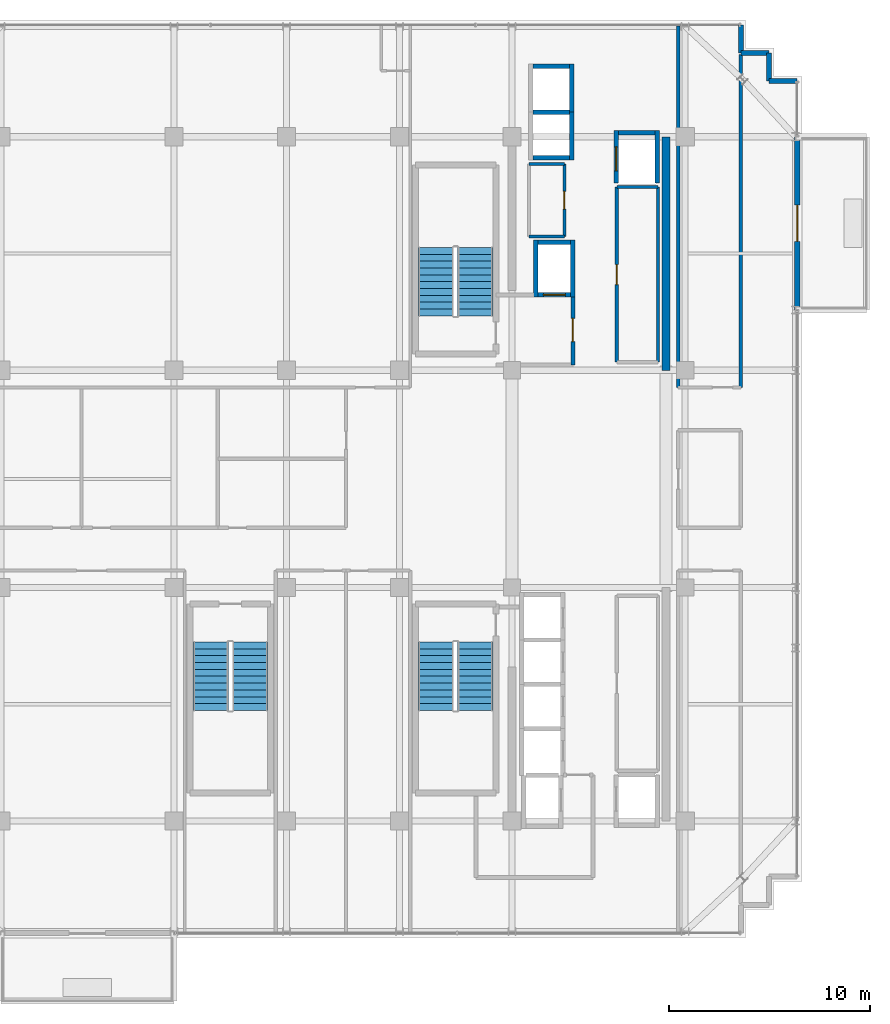
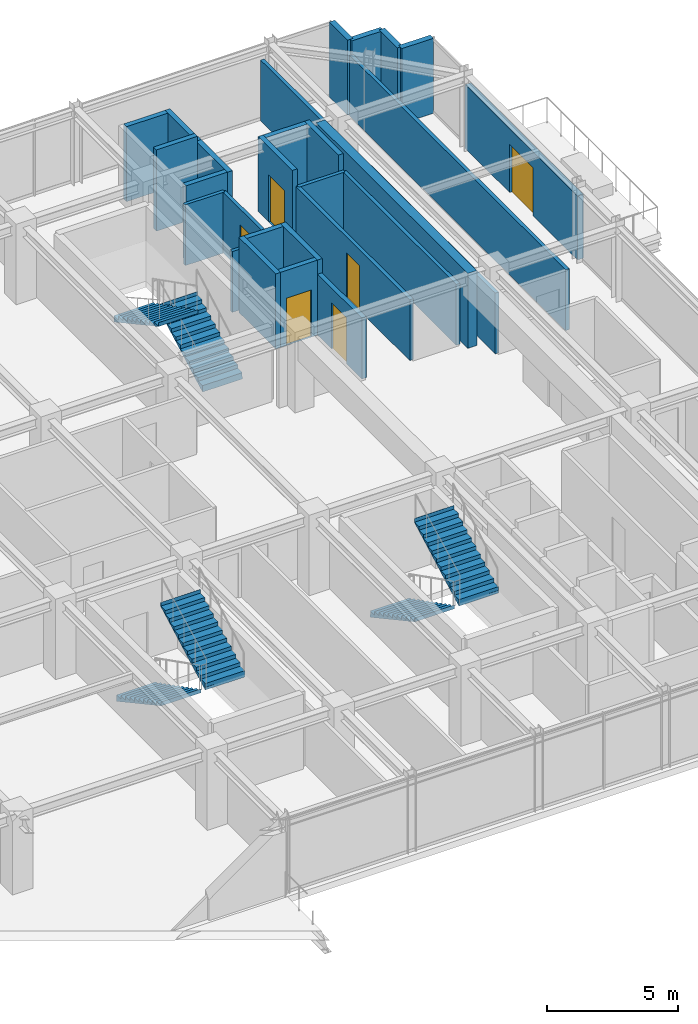
# One storey, part 29 of 32: 27 walls, 6 doors, 6 stair flights, 6 openings, 3 elements without a shape of their own.
"""IFC4 building model written with IfcOpenShell, lengths in metres."""

from ifc_helpers import new_model, si_unit, direction, frame, frame_2d, origin, place, context, subcontext, project, spatial, polyline, rectangle, outline, extrude, source, transform, mapped, material, layer, layer_set, type_object, element, fill, aggregate, save


model = new_model("IFC4")

# Units and contexts
model_context = context("Model", 3, precision=1e-05, world=origin(), true_north=direction((0.0, 1.0)))
body_context = subcontext(model_context, "Body", "Model", "MODEL_VIEW")
ifc_project = project(units=[si_unit("LENGTHUNIT", "METRE"), si_unit("AREAUNIT", "SQUARE_METRE"), si_unit("VOLUMEUNIT", "CUBIC_METRE"), si_unit("PLANEANGLEUNIT", "RADIAN"), si_unit("MASSUNIT", "GRAM", prefix="KILO")], contexts=[model_context])

# Site, building, storey
site_placement = place(None, origin())
site = spatial("IfcSite", under=ifc_project, at=site_placement, CompositionType="ELEMENT")
building_placement = place(site_placement, origin())
building = spatial("IfcBuilding", under=site, at=building_placement, Name="Nahalor Promenade Grand Hotel", CompositionType="ELEMENT")
storey_placement = place(building_placement, frame((0.0, 0.0, 330.949951171875)))
storey = spatial("IfcBuildingStorey", under=building, at=storey_placement, Name="L85", CompositionType="ELEMENT", Elevation=330.949951171875)

# Walls
ifc_material_1 = material(Name="Concrete B-50 (C40/50)", Category="concrete")
ifc_layer_1 = layer(ifc_material_1, 0.39990234375)
ifc_layer_set_1 = layer_set([ifc_layer_1], Name="Concrete B-50 (C40/50)")
wall_type_1 = type_object("IfcWallType", Name="Wall-CoreShear-400", PredefinedType="SHEAR", material=ifc_layer_set_1)
shared_shape_1 = source(origin(), body_context, "Body", "SweptSolid", [
    extrude(rectangle(XDim=11.60009765625, YDim=0.39990234375, at=frame_2d((5.800048828125, 0.0))), origin(), (0.0, 0.0, 1.0), 3.5),
])
wall_1_placement = place(storey_placement, frame((16.050048828125, 5.39990234375, 0.0), z_axis=(0.0, 0.0, 1.0), x_axis=(0.0, 1.0, 0.0)))
element("IfcWall", 1, at=wall_1_placement, inside=storey, type_object=wall_type_1, Name="CWALL-L85-NE", PredefinedType="SHEAR", context=body_context, shape_type="MappedRepresentation", body=[
    mapped(shared_shape_1, transform((0.0, 0.0, 0.0), scale=1.0)),
])
ifc_layer_2 = layer(ifc_material_1, 0.219970703125)
ifc_layer_set_2 = layer_set([ifc_layer_2], Name="Concrete B-50 (C40/50)")
wall_type_2 = type_object("IfcWallType", Name="Wall-LiftShaft-220", PredefinedType="SHEAR", material=ifc_layer_set_2)
shared_shape_2 = source(origin(), body_context, "Body", "SweptSolid", [
    extrude(rectangle(XDim=1.820068359375, YDim=0.219970703125, at=frame_2d((0.91015625, 0.0))), origin(), (0.0, 0.0, 1.0), 3.5),
])
for number, where, z_axis, x_axis, name in (
    (2, (9.43994140625, 15.949951171875, 0.0), (0.0, 0.0, 1.0), (1.0, 0.0, 0.0), "L85 Lift OB1 Hoistway Wall S"),
    (3, (9.43994140625, 20.5, 0.0), (0.0, 0.0, 1.0), (1.0, 0.0, 0.0), "L85 Lift OB2 Hoistway Wall N"),
    (4, (13.68994140625, 17.199951171875, 0.0), (0.0, 0.0, 1.0), (1.0, 0.0, 0.0), "L85 Lift SV1 Hoistway Wall N"),
):
    element("IfcWall", number, at=place(storey_placement, frame(where, z_axis=z_axis, x_axis=x_axis)), inside=storey, type_object=wall_type_2, Name=name, PredefinedType="SHEAR", context=body_context, shape_type="MappedRepresentation", body=[
        mapped(shared_shape_2, transform((0.0, 0.0, 0.0), scale=1.0)),
    ])
shared_shape_3 = source(origin(), body_context, "Body", "SweptSolid", [
    extrude(rectangle(XDim=1.820068359375, YDim=0.219970703125, at=frame_2d((0.91015625, 0.0))), origin(), (0.0, 0.0, 1.0), 3.800048828125),
])
wall_2_placement = place(storey_placement, frame((9.43994140625, 18.22509765625, 0.0), z_axis=(0.0, 0.0, 1.0), x_axis=(1.0, 0.0, 0.0)))
element("IfcWall", 5, at=wall_2_placement, inside=storey, type_object=wall_type_2, Name="L85 Lift OB1 Hoistway Wall N", PredefinedType="SHEAR", context=body_context, shape_type="MappedRepresentation", body=[
    mapped(shared_shape_3, transform((0.0, 0.0, 0.0), scale=1.0)),
])
shared_shape_4 = source(origin(), body_context, "Body", "SweptSolid", [
    extrude(rectangle(XDim=2.385009765625, YDim=0.219970703125, at=frame_2d((1.1923828125, 0.0))), origin(), (0.0, 0.0, 1.0), 3.5),
])
for number, where, z_axis, x_axis, name in (
    (6, (11.3701171875, 15.840087890625, 0.0), (0.0, 0.0, 1.0), (0.0, 1.0, 0.0), "L85 Lift OB1 Hoistway Wall E"),
    (7, (11.3701171875, 18.22509765625, 0.0), (0.0, 0.0, 1.0), (0.0, 1.0, 0.0), "L85 Lift OB2 Hoistway Wall E"),
):
    element("IfcWall", number, at=place(storey_placement, frame(where, z_axis=z_axis, x_axis=x_axis)), inside=storey, type_object=wall_type_2, Name=name, PredefinedType="SHEAR", context=body_context, shape_type="MappedRepresentation", body=[
        mapped(shared_shape_4, transform((0.0, 0.0, 0.0), scale=1.0)),
    ])
shared_shape_5 = source(origin(), body_context, "Body", "SweptSolid", [
    extrude(rectangle(XDim=2.820068359375, YDim=0.219970703125, at=frame_2d((1.41015625, 0.0))), origin(), (0.0, 0.0, 1.0), 3.5),
])
for number, where, z_axis, x_axis, name in (
    (8, (9.580078125, 9.0400390625, 0.0), (0.0, 0.0, 1.0), (0.0, 1.0, 0.0), "L85 Lift FL1 Hoistway Wall W"),
    (9, (11.419921875, 9.0400390625, 0.0), (0.0, 0.0, 1.0), (0.0, 1.0, 0.0), "L85 Lift FL1 Hoistway Wall E"),
):
    element("IfcWall", number, at=place(storey_placement, frame(where, z_axis=z_axis, x_axis=x_axis)), inside=storey, type_object=wall_type_2, Name=name, PredefinedType="SHEAR", context=body_context, shape_type="MappedRepresentation", body=[
        mapped(shared_shape_5, transform((0.0, 0.0, 0.0), scale=1.0)),
    ])

# Wall, opening, door
shared_shape_6 = source(origin(), body_context, "Body", "SweptSolid", [
    extrude(rectangle(XDim=1.6201171875, YDim=0.219970703125, at=frame_2d((0.81005859375, 0.0))), origin(), (0.0, 0.0, 1.0), 3.5),
])
wall_3_placement = place(storey_placement, frame((9.68994140625, 9.14990234375, 0.0), z_axis=(0.0, 0.0, 1.0), x_axis=(1.0, 0.0, 0.0)))
wall_3 = element("IfcWall", 10, at=wall_3_placement, inside=storey, type_object=wall_type_2, Name="L85 Lift FL1 Hoistway Wall S", PredefinedType="SHEAR", context=body_context, shape_type="MappedRepresentation", body=[
    mapped(shared_shape_6, transform((0.0, 0.0, 0.0), scale=1.0)),
])
opening_1_placement = place(wall_3_placement, frame((0.260009765625, 0.0, 0.0)))
opening_1 = element("IfcOpeningElement", 11, at=opening_1_placement, cuts=wall_3, Name="Opening LD-02", PredefinedType="OPENING", context=body_context, shape_type="SweptSolid", body=[
    extrude(rectangle(XDim=1.10009765625, YDim=2.199951171875, at=frame_2d((0.550048828125, 1.10009765625))), frame((0.0, 0.119873046875, 0.0), z_axis=(0.0, -1.0, 0.0), x_axis=(1.0, 0.0, 0.0)), (0.0, 0.0, 1.0), 0.239990234375),
])
ifc_material_2 = material(Name="Steel S355JR", Category="steel")
door_type_1 = type_object("IfcDoorType", Name="Door-LiftFF-1100", OperationType="DOUBLE_DOOR_SLIDING", PredefinedType="DOOR", material=ifc_material_2)
shared_shape_7 = source(origin(), body_context, "Body", "SweptSolid", [
    extrude(rectangle(XDim=1.10009765625, YDim=2.199951171875, at=frame_2d((0.550048828125, 1.10009765625))), frame((0.0, 0.02490234375, 0.0), z_axis=(0.0, -1.0, 0.0), x_axis=(1.0, 0.0, 0.0)), (0.0, 0.0, 1.0), 0.050048828125),
])
door_1_placement = place(opening_1_placement, frame((1.10009765625, 0.0, 0.0), z_axis=(0.0, 0.0, 1.0), x_axis=(-1.0, 0.0, 0.0)))
door_1 = element("IfcDoor", 12, at=door_1_placement, inside=storey, type_object=door_type_1, Name="DR-LIFT-FL1-L85", OperationType="DOUBLE_DOOR_SLIDING", OverallHeight=2.199951171875, OverallWidth=1.10009765625, PredefinedType="DOOR", context=body_context, shape_type="MappedRepresentation", body=[
    mapped(shared_shape_7, transform((0.0, 0.0, 0.0), scale=1.0)),
])
fill(opening_1, door_1)

# Wall
wall_4_placement = place(storey_placement, frame((9.68994140625, 11.75, 0.0), z_axis=(0.0, 0.0, 1.0), x_axis=(1.0, 0.0, 0.0)))
element("IfcWall", 13, at=wall_4_placement, inside=storey, type_object=wall_type_2, Name="L85 Lift FL1 Hoistway Wall N", PredefinedType="SHEAR", context=body_context, shape_type="MappedRepresentation", body=[
    mapped(shared_shape_6, transform((0.0, 0.0, 0.0), scale=1.0)),
])

# Wall, opening, door
shared_shape_8 = source(origin(), body_context, "Body", "SweptSolid", [
    extrude(rectangle(XDim=2.610107421875, YDim=0.219970703125, at=frame_2d((1.30517578125, 0.0))), origin(), (0.0, 0.0, 1.0), 3.5),
])
wall_5_placement = place(storey_placement, frame((13.580078125, 14.699951171875, 0.0), z_axis=(0.0, 0.0, 1.0), x_axis=(0.0, 1.0, 0.0)))
wall_5 = element("IfcWall", 14, at=wall_5_placement, inside=storey, type_object=wall_type_2, Name="L85 Lift SV1 Hoistway Wall W", PredefinedType="SHEAR", context=body_context, shape_type="MappedRepresentation", body=[
    mapped(shared_shape_8, transform((0.0, 0.0, 0.0), scale=1.0)),
])
opening_2_placement = place(wall_5_placement, frame((0.60009765625, 0.0, 0.0)))
opening_2 = element("IfcOpeningElement", 15, at=opening_2_placement, cuts=wall_5, Name="Opening LD-03", PredefinedType="OPENING", context=body_context, shape_type="SweptSolid", body=[
    extrude(rectangle(XDim=1.199951171875, YDim=2.199951171875, at=frame_2d((0.60009765625, 1.10009765625))), frame((0.0, 0.119873046875, 0.0), z_axis=(0.0, -1.0, 0.0), x_axis=(1.0, 0.0, 0.0)), (0.0, 0.0, 1.0), 0.239990234375),
])
door_type_2 = type_object("IfcDoorType", Name="Door-LiftService-1200", OperationType="DOUBLE_DOOR_SLIDING", PredefinedType="DOOR", material=ifc_material_2)
shared_shape_9 = source(origin(), body_context, "Body", "SweptSolid", [
    extrude(rectangle(XDim=1.199951171875, YDim=2.199951171875, at=frame_2d((0.60009765625, 1.10009765625))), frame((0.0, 0.02490234375, 0.0), z_axis=(0.0, -1.0, 0.0), x_axis=(1.0, 0.0, 0.0)), (0.0, 0.0, 1.0), 0.050048828125),
])
door_2_placement = place(opening_2_placement, origin())
door_2 = element("IfcDoor", 16, at=door_2_placement, inside=storey, type_object=door_type_2, Name="DR-LIFT-SV1-L85", OperationType="DOUBLE_DOOR_SLIDING", OverallHeight=2.199951171875, OverallWidth=1.199951171875, PredefinedType="DOOR", context=body_context, shape_type="MappedRepresentation", body=[
    mapped(shared_shape_9, transform((0.0, 0.0, 0.0), scale=1.0)),
])
fill(opening_2, door_2)

# Walls
wall_6_placement = place(storey_placement, frame((15.6201171875, 14.699951171875, 0.0), z_axis=(0.0, 0.0, 1.0), x_axis=(0.0, 1.0, 0.0)))
element("IfcWall", 17, at=wall_6_placement, inside=storey, type_object=wall_type_2, Name="L85 Lift SV1 Hoistway Wall E", PredefinedType="SHEAR", context=body_context, shape_type="MappedRepresentation", body=[
    mapped(shared_shape_8, transform((0.0, 0.0, 0.0), scale=1.0)),
])
ifc_material_3 = material(Name="Concrete B-40 (C32/40)", Category="concrete")
ifc_layer_3 = layer(ifc_material_3, 0.25)
ifc_layer_set_3 = layer_set([ifc_layer_3], Name="Concrete B-40 (C32/40)")
wall_type_3 = type_object("IfcWallType", Name="Wall-BronzePier-250", PredefinedType="STANDARD", material=ifc_layer_set_3)
shared_shape_10 = source(origin(), body_context, "Body", "SweptSolid", [
    extrude(rectangle(XDim=1.400146484375, YDim=0.25, at=frame_2d((0.7001953125, 0.0))), origin(), (0.0, 0.0, 1.0), 3.5),
])
for number, where, z_axis, x_axis, name in (
    (18, (21.159912109375, 19.760009765625, 0.0), (0.0, 0.0, 1.0), (1.0, 0.0, 0.0), "W-L85-SR-05"),
    (19, (19.760009765625, 21.159912109375, 0.0), (0.0, 0.0, 1.0), (0.0, 1.0, 0.0), "W-L85-SR-08"),
):
    element("IfcWall", number, at=place(storey_placement, frame(where, z_axis=z_axis, x_axis=x_axis)), inside=storey, type_object=wall_type_3, Name=name, PredefinedType="STANDARD", context=body_context, shape_type="MappedRepresentation", body=[
        mapped(shared_shape_10, transform((0.0, 0.0, 0.0), scale=1.0)),
    ])
shared_shape_11 = source(origin(), body_context, "Body", "SweptSolid", [
    extrude(rectangle(XDim=1.39990234375, YDim=0.25, at=frame_2d((0.699951171875, 0.0))), origin(), (0.0, 0.0, 1.0), 3.5),
])
for number, where, z_axis, x_axis, name in (
    (20, (21.159912109375, 19.760009765625, 0.0), (0.0, 0.0, 1.0), (0.0, 1.0, 0.0), "W-L85-SR-06"),
    (21, (19.760009765625, 21.159912109375, 0.0), (0.0, 0.0, 1.0), (1.0, 0.0, 0.0), "W-L85-SR-07"),
):
    element("IfcWall", number, at=place(storey_placement, frame(where, z_axis=z_axis, x_axis=x_axis)), inside=storey, type_object=wall_type_3, Name=name, PredefinedType="STANDARD", context=body_context, shape_type="MappedRepresentation", body=[
        mapped(shared_shape_11, transform((0.0, 0.0, 0.0), scale=1.0)),
    ])

# Wall, opening, door
ifc_layer_4 = layer(ifc_material_3, 0.260009765625)
ifc_layer_set_4 = layer_set([ifc_layer_4], Name="Concrete B-40 (C32/40)")
wall_type_4 = type_object("IfcWallType", Name="Wall-BalconyWall-260", PredefinedType="STANDARD", material=ifc_layer_set_4)
shared_shape_12 = source(origin(), body_context, "Body", "SweptSolid", [
    extrude(rectangle(XDim=8.60009765625, YDim=0.260009765625, at=frame_2d((4.300048828125, 0.0))), origin(), (0.0, 0.0, 1.0), 2.97998046875),
])
wall_7_placement = place(storey_placement, frame((22.56005859375, 8.39990234375, 0.0), z_axis=(0.0, 0.0, 1.0), x_axis=(0.0, 1.0, 0.0)))
wall_7 = element("IfcWall", 22, at=wall_7_placement, inside=storey, type_object=wall_type_4, Name="W-L85-BALC-E-2", PredefinedType="STANDARD", context=body_context, shape_type="MappedRepresentation", body=[
    mapped(shared_shape_12, transform((0.0, 0.0, 0.0), scale=1.0)),
])
opening_3_placement = place(wall_7_placement, frame((3.39990234375, 0.0, 0.0)))
opening_3 = element("IfcOpeningElement", 23, at=opening_3_placement, cuts=wall_7, Name="Opening D-BC1", PredefinedType="OPENING", context=body_context, shape_type="SweptSolid", body=[
    extrude(rectangle(XDim=1.800048828125, YDim=2.25, at=frame_2d((0.89990234375, 1.125))), frame((0.0, 0.139892578125, 0.0), z_axis=(0.0, -1.0, 0.0), x_axis=(1.0, 0.0, 0.0)), (0.0, 0.0, 1.0), 0.280029296875),
])
ifc_material_4 = material(Name="Anodised Bronze Aluminium EN AW-6063 T6", Category="aluminium")
door_type_3 = type_object("IfcDoorType", Name="Door-BalconySlide-1800", OperationType="DOUBLE_DOOR_SLIDING", PredefinedType="DOOR", material=ifc_material_4)
shared_shape_13 = source(origin(), body_context, "Body", "SweptSolid", [
    extrude(rectangle(XDim=1.800048828125, YDim=2.25, at=frame_2d((0.89990234375, 1.125))), frame((0.0, 0.02490234375, 0.0), z_axis=(0.0, -1.0, 0.0), x_axis=(1.0, 0.0, 0.0)), (0.0, 0.0, 1.0), 0.050048828125),
])
door_3_placement = place(opening_3_placement, frame((1.800048828125, 0.0, 0.0), z_axis=(0.0, 0.0, 1.0), x_axis=(-1.0, 0.0, 0.0)))
door_3 = element("IfcDoor", 24, at=door_3_placement, inside=storey, type_object=door_type_3, Name="DR-L85-BALC-E-2", OperationType="DOUBLE_DOOR_SLIDING", OverallHeight=2.25, OverallWidth=1.800048828125, PredefinedType="DOOR", context=body_context, shape_type="MappedRepresentation", body=[
    mapped(shared_shape_13, transform((0.0, 0.0, 0.0), scale=1.0)),
])
fill(opening_3, door_3)

ifc_layer_5 = layer(ifc_material_3, 0.199951171875)
ifc_layer_set_5 = layer_set([ifc_layer_5], Name="Concrete B-40 (C32/40)")
wall_type_5 = type_object("IfcWallType", Name="Wall-PartFire-200", PredefinedType="PARTITIONING", material=ifc_layer_set_5)
shared_shape_14 = source(origin(), body_context, "Body", "SweptSolid", [
    extrude(rectangle(XDim=3.5, YDim=0.199951171875, at=frame_2d((1.75, 0.0))), origin(), (0.0, 0.0, 1.0), 2.840087890625),
])
wall_8_placement = place(storey_placement, frame((11.419921875, 5.64990234375, 0.0), z_axis=(0.0, 0.0, 1.0), x_axis=(0.0, 1.0, 0.0)))
wall_8 = element("IfcWall", 25, at=wall_8_placement, inside=storey, type_object=wall_type_5, Name="W-L85-FF1-E", PredefinedType="PARTITIONING", context=body_context, shape_type="MappedRepresentation", body=[
    mapped(shared_shape_14, transform((0.0, 0.0, 0.0), scale=1.0)),
])
opening_4_placement = place(wall_8_placement, frame((1.175048828125, 0.0, 0.0)))
opening_4 = element("IfcOpeningElement", 26, at=opening_4_placement, cuts=wall_8, Name="Opening D-FF1", PredefinedType="OPENING", context=body_context, shape_type="SweptSolid", body=[
    extrude(rectangle(XDim=1.14990234375, YDim=2.14990234375, at=frame_2d((0.574951171875, 1.074951171875))), frame((0.0, 0.10986328125, 0.0), z_axis=(0.0, -1.0, 0.0), x_axis=(1.0, 0.0, 0.0)), (0.0, 0.0, 1.0), 0.219970703125),
])
door_type_4 = type_object("IfcDoorType", Name="Door-FFLobby-1150", OperationType="NOTDEFINED", PredefinedType="DOOR", material=ifc_material_2)
shared_shape_15 = source(origin(), body_context, "Body", "SweptSolid", [
    extrude(rectangle(XDim=1.14990234375, YDim=2.14990234375, at=frame_2d((0.574951171875, 1.074951171875))), frame((0.0, 0.02490234375, 0.0), z_axis=(0.0, -1.0, 0.0), x_axis=(1.0, 0.0, 0.0)), (0.0, 0.0, 1.0), 0.050048828125),
])
door_4_placement = place(opening_4_placement, frame((1.14990234375, 0.0, 0.0), z_axis=(0.0, 0.0, 1.0), x_axis=(-1.0, 0.0, 0.0)))
door_4 = element("IfcDoor", 27, at=door_4_placement, inside=storey, type_object=door_type_4, Name="DR-L85-FFL1", OperationType="SINGLE_SWING_RIGHT", OverallHeight=2.14990234375, OverallWidth=1.14990234375, PredefinedType="DOOR", context=body_context, shape_type="MappedRepresentation", body=[
    mapped(shared_shape_15, transform((0.0, 0.0, 0.0), scale=1.0)),
])
fill(opening_4, door_4)

# Walls
ifc_material_5 = material(Name="Acoustic Mineral Gypsum", Category="gypsum")
ifc_layer_6 = layer(ifc_material_5, 0.14990234375)
ifc_layer_set_6 = layer_set([ifc_layer_6], Name="Acoustic Mineral Gypsum")
wall_type_6 = type_object("IfcWallType", Name="Wall-PartService-150", PredefinedType="PARTITIONING", material=ifc_layer_set_6)
shared_shape_16 = source(origin(), body_context, "Body", "SweptSolid", [
    extrude(rectangle(XDim=1.75, YDim=0.14990234375, at=frame_2d((0.875, 0.0))), origin(), (0.0, 0.0, 1.0), 2.840087890625),
])
for number, where, z_axis, x_axis, name in (
    (28, (9.25, 12.050048828125, 0.0), (0.0, 0.0, 1.0), (1.0, 0.0, 0.0), "W-L85-CK1A-S"),
    (29, (9.25, 15.64990234375, 0.0), (0.0, 0.0, 1.0), (1.0, 0.0, 0.0), "W-L85-CK1A-N"),
):
    element("IfcWall", number, at=place(storey_placement, frame(where, z_axis=z_axis, x_axis=x_axis)), inside=storey, type_object=wall_type_6, Name=name, PredefinedType="PARTITIONING", context=body_context, shape_type="MappedRepresentation", body=[
        mapped(shared_shape_16, transform((0.0, 0.0, 0.0), scale=1.0)),
    ])
ifc_layer_7 = layer(ifc_material_5, 0.159912109375)
ifc_layer_set_7 = layer_set([ifc_layer_7], Name="Acoustic Mineral Gypsum")
wall_type_7 = type_object("IfcWallType", Name="Wall-PartCorridor-160", PredefinedType="PARTITIONING", material=ifc_layer_set_7)
shared_shape_17 = source(origin(), body_context, "Body", "SweptSolid", [
    extrude(rectangle(XDim=2.0498046875, YDim=0.159912109375, at=frame_2d((1.02490234375, 0.0))), origin(), (0.0, 0.0, 1.0), 2.840087890625),
])
wall_9_placement = place(storey_placement, frame((13.60009765625, 14.5, 0.0), z_axis=(0.0, 0.0, 1.0), x_axis=(1.0, 0.0, 0.0)))
element("IfcWall", 30, at=wall_9_placement, inside=storey, type_object=wall_type_7, Name="W-L85-FRB1-N", PredefinedType="PARTITIONING", context=body_context, shape_type="MappedRepresentation", body=[
    mapped(shared_shape_17, transform((0.0, 0.0, 0.0), scale=1.0)),
])
shared_shape_18 = source(origin(), body_context, "Body", "SweptSolid", [
    extrude(rectangle(XDim=17.949951171875, YDim=0.159912109375, at=frame_2d((8.97509765625, 0.0))), origin(), (0.0, 0.0, 1.0), 2.840087890625),
])
wall_10_placement = place(storey_placement, frame((16.64990234375, 4.550048828125, 0.0), z_axis=(0.0, 0.0, 1.0), x_axis=(0.0, 1.0, 0.0)))
element("IfcWall", 31, at=wall_10_placement, inside=storey, type_object=wall_type_7, Name="W-L85-ENE-W", PredefinedType="PARTITIONING", context=body_context, shape_type="MappedRepresentation", body=[
    mapped(shared_shape_18, transform((0.0, 0.0, 0.0), scale=1.0)),
])
shared_shape_19 = source(origin(), body_context, "Body", "SweptSolid", [
    extrude(rectangle(XDim=16.530029296875, YDim=0.159912109375, at=frame_2d((8.26513671875, 0.0))), origin(), (0.0, 0.0, 1.0), 2.840087890625),
])
wall_11_placement = place(storey_placement, frame((19.760009765625, 4.550048828125, 0.0), z_axis=(0.0, 0.0, 1.0), x_axis=(0.0, 1.0, 0.0)))
element("IfcWall", 32, at=wall_11_placement, inside=storey, type_object=wall_type_7, Name="W-L85-ENE-E", PredefinedType="PARTITIONING", context=body_context, shape_type="MappedRepresentation", body=[
    mapped(shared_shape_19, transform((0.0, 0.0, 0.0), scale=1.0)),
])

# Wall, opening, door
shared_shape_20 = source(origin(), body_context, "Body", "SweptSolid", [
    extrude(rectangle(XDim=3.599853515625, YDim=0.14990234375, at=frame_2d((1.7998046875, 0.0))), origin(), (0.0, 0.0, 1.0), 2.840087890625),
])
wall_12_placement = place(storey_placement, frame((11.0, 12.050048828125, 0.0), z_axis=(0.0, 0.0, 1.0), x_axis=(0.0, 1.0, 0.0)))
wall_12 = element("IfcWall", 33, at=wall_12_placement, inside=storey, type_object=wall_type_6, Name="W-L85-CK1A-E", PredefinedType="PARTITIONING", context=body_context, shape_type="MappedRepresentation", body=[
    mapped(shared_shape_20, transform((0.0, 0.0, 0.0), scale=1.0)),
])
opening_5_placement = place(wall_12_placement, frame((1.360107421875, 0.0, 0.0)))
opening_5 = element("IfcOpeningElement", 34, at=opening_5_placement, cuts=wall_12, Name="Opening D-03", PredefinedType="OPENING", context=body_context, shape_type="SweptSolid", body=[
    extrude(rectangle(XDim=0.8798828125, YDim=2.10009765625, at=frame_2d((0.43994140625, 1.050048828125))), frame((0.0, 0.0849609375, 0.0), z_axis=(0.0, -1.0, 0.0), x_axis=(1.0, 0.0, 0.0)), (0.0, 0.0, 1.0), 0.169921875),
])
ifc_material_6 = material(Name="Fire-Rated Timber Composite", Category="wood")
door_type_5 = type_object("IfcDoorType", Name="Door-BathSwing-880", OperationType="NOTDEFINED", PredefinedType="DOOR", material=ifc_material_6)
shared_shape_21 = source(origin(), body_context, "Body", "SweptSolid", [
    extrude(rectangle(XDim=0.8798828125, YDim=2.10009765625, at=frame_2d((0.43994140625, 1.050048828125))), frame((0.0, 0.02490234375, 0.0), z_axis=(0.0, -1.0, 0.0), x_axis=(1.0, 0.0, 0.0)), (0.0, 0.0, 1.0), 0.050048828125),
])
door_5_placement = place(opening_5_placement, origin())
door_5 = element("IfcDoor", 35, at=door_5_placement, inside=storey, type_object=door_type_5, Name="DR-L85-CK1A", OperationType="SINGLE_SWING_RIGHT", OverallHeight=2.10009765625, OverallWidth=0.8798828125, PredefinedType="DOOR", context=body_context, shape_type="MappedRepresentation", body=[
    mapped(shared_shape_21, transform((0.0, 0.0, 0.0), scale=1.0)),
])
fill(opening_5, door_5)

shared_shape_22 = source(origin(), body_context, "Body", "SweptSolid", [
    extrude(rectangle(XDim=8.699951171875, YDim=0.159912109375, at=frame_2d((4.35009765625, 0.0))), origin(), (0.0, 0.0, 1.0), 2.840087890625),
])
wall_13_placement = place(storey_placement, frame((13.60009765625, 5.800048828125, 0.0), z_axis=(0.0, 0.0, 1.0), x_axis=(0.0, 1.0, 0.0)))
wall_13 = element("IfcWall", 36, at=wall_13_placement, inside=storey, type_object=wall_type_7, Name="W-L85-FRB1-W", PredefinedType="PARTITIONING", context=body_context, shape_type="MappedRepresentation", body=[
    mapped(shared_shape_22, transform((0.0, 0.0, 0.0), scale=1.0)),
])
opening_6_placement = place(wall_13_placement, frame((3.85009765625, 0.0, 0.0)))
opening_6 = element("IfcOpeningElement", 37, at=opening_6_placement, cuts=wall_13, Name="Opening D-04", PredefinedType="OPENING", context=body_context, shape_type="SweptSolid", body=[
    extrude(rectangle(XDim=1.0, YDim=2.10009765625, at=frame_2d((0.5, 1.050048828125))), frame((0.0, 0.08984375, 0.0), z_axis=(0.0, -1.0, 0.0), x_axis=(1.0, 0.0, 0.0)), (0.0, 0.0, 1.0), 0.179931640625),
])
door_type_6 = type_object("IfcDoorType", Name="Door-ServiceFire-1000", OperationType="NOTDEFINED", PredefinedType="DOOR", material=ifc_material_2)
shared_shape_23 = source(origin(), body_context, "Body", "SweptSolid", [
    extrude(rectangle(XDim=1.0, YDim=2.10009765625, at=frame_2d((0.5, 1.050048828125))), frame((0.0, 0.02490234375, 0.0), z_axis=(0.0, -1.0, 0.0), x_axis=(1.0, 0.0, 0.0)), (0.0, 0.0, 1.0), 0.050048828125),
])
door_6_placement = place(opening_6_placement, frame((1.0, 0.0, 0.0), z_axis=(0.0, 0.0, 1.0), x_axis=(-1.0, 0.0, 0.0)))
door_6 = element("IfcDoor", 38, at=door_6_placement, inside=storey, type_object=door_type_6, Name="DR-L85-FRB1", OperationType="SINGLE_SWING_LEFT", OverallHeight=2.10009765625, OverallWidth=1.0, PredefinedType="DOOR", context=body_context, shape_type="MappedRepresentation", body=[
    mapped(shared_shape_23, transform((0.0, 0.0, 0.0), scale=1.0)),
])
fill(opening_6, door_6)

# Wall
wall_14_placement = place(storey_placement, frame((15.64990234375, 5.800048828125, 0.0), z_axis=(0.0, 0.0, 1.0), x_axis=(0.0, 1.0, 0.0)))
element("IfcWall", 39, at=wall_14_placement, inside=storey, type_object=wall_type_7, Name="W-L85-FRB1-E", PredefinedType="PARTITIONING", context=body_context, shape_type="MappedRepresentation", body=[
    mapped(shared_shape_22, transform((0.0, 0.0, 0.0), scale=1.0)),
])

# Stair, stair flights
stair_type_1 = type_object("IfcStairType", Name="Stair-ST1", PredefinedType="HALF_TURN_STAIR", material=ifc_material_1)
stair_1_placement = place(storey_placement, origin())
stair_1 = element("IfcStair", 40, at=stair_1_placement, inside=storey, type_object=stair_type_1, Name="L85 ST1", PredefinedType="HALF_TURN_STAIR")
ifc_layer_8 = layer(ifc_material_1, 0.179931640625)
ifc_layer_set_8 = layer_set([ifc_layer_8], Name="Concrete B-50 (C40/50)")
stair_flight_type_1 = type_object("IfcStairFlightType", Name="Flight-ST1", PredefinedType="STRAIGHT", material=ifc_layer_set_8)
shared_shape_24 = source(origin(), body_context, "Body", "SweptSolid", [
    extrude(outline(polyline([(-0.00390625, -0.1201171875), (-0.00390625, 0.0), (0.0, 0.0), (0.0, 0.172607421875), (0.340087890625, 0.172607421875), (0.340087890625, 0.345458984375), (0.679931640625, 0.345458984375), (0.679931640625, 0.51806640625), (1.02001953125, 0.51806640625), (1.02001953125, 0.69091796875), (1.360107421875, 0.69091796875), (1.360107421875, 0.863525390625), (1.699951171875, 0.863525390625), (1.699951171875, 1.036376953125), (2.0400390625, 1.036376953125), (2.0400390625, 1.208984375), (2.3798828125, 1.208984375), (2.3798828125, 1.3818359375), (2.719970703125, 1.3818359375), (2.719970703125, 1.554443359375), (3.06005859375, 1.554443359375), (3.06005859375, 1.727294921875), (3.39990234375, 1.727294921875), (3.39990234375, 1.89990234375), (3.404052734375, 1.89990234375), (3.404052734375, 1.719970703125), (0.02001953125, -0.1201171875), (-0.00390625, -0.1201171875)])), frame((0.0, 0.875, 0.0), z_axis=(0.0, -1.0, 0.0), x_axis=(1.0, 0.0, 0.0)), (0.0, 0.0, 1.0), 1.75),
])
stair_flight_1_placement = place(storey_placement, frame((6.574951171875, 8.10009765625, 0.0), z_axis=(0.0, 0.0, 1.0), x_axis=(0.0, 1.0, 0.0)))
stair_flight_1 = element("IfcStairFlight", 41, at=stair_flight_1_placement, type_object=stair_flight_type_1, Name="ST1 flight 1", NumberOfRisers=11, NumberOfTreads=10, PredefinedType="STRAIGHT", RiserHeight=0.172727273, TreadLength=0.34, context=body_context, shape_type="MappedRepresentation", body=[
    mapped(shared_shape_24, transform((0.0, 0.0, 0.0), scale=1.0)),
])
stair_flight_2_placement = place(storey_placement, frame((4.625, 11.5, 1.900146484375), z_axis=(0.0, 0.0, 1.0), x_axis=(0.0, -1.0, 0.0)))
stair_flight_2 = element("IfcStairFlight", 42, at=stair_flight_2_placement, type_object=stair_flight_type_1, Name="ST1 flight 2", NumberOfRisers=11, NumberOfTreads=10, PredefinedType="STRAIGHT", RiserHeight=0.172727273, TreadLength=0.34, context=body_context, shape_type="MappedRepresentation", body=[
    mapped(shared_shape_24, transform((0.0, 0.0, 0.0), scale=1.0)),
])
aggregate(stair_1, [stair_flight_1, stair_flight_2])

stair_type_2 = type_object("IfcStairType", Name="Stair-ST2", PredefinedType="HALF_TURN_STAIR", material=ifc_material_1)
stair_2_placement = place(storey_placement, origin())
stair_2 = element("IfcStair", 43, at=stair_2_placement, inside=storey, type_object=stair_type_2, Name="L85 ST2", PredefinedType="HALF_TURN_STAIR")
ifc_layer_9 = layer(ifc_material_1, 0.18994140625)
ifc_layer_set_9 = layer_set([ifc_layer_9], Name="Concrete B-50 (C40/50)")
stair_flight_type_2 = type_object("IfcStairFlightType", Name="Flight-ST2", PredefinedType="STRAIGHT", material=ifc_layer_set_9)
shared_shape_25 = source(origin(), body_context, "Body", "SweptSolid", [
    extrude(outline(polyline([(-0.00390625, -0.1201171875), (-0.00390625, 0.0), (0.0, 0.0), (0.0, 0.172607421875), (0.340087890625, 0.172607421875), (0.340087890625, 0.345458984375), (0.679931640625, 0.345458984375), (0.679931640625, 0.51806640625), (1.02001953125, 0.51806640625), (1.02001953125, 0.69091796875), (1.360107421875, 0.69091796875), (1.360107421875, 0.863525390625), (1.699951171875, 0.863525390625), (1.699951171875, 1.036376953125), (2.0400390625, 1.036376953125), (2.0400390625, 1.208984375), (2.3798828125, 1.208984375), (2.3798828125, 1.3818359375), (2.719970703125, 1.3818359375), (2.719970703125, 1.554443359375), (3.06005859375, 1.554443359375), (3.06005859375, 1.727294921875), (3.39990234375, 1.727294921875), (3.39990234375, 1.89990234375), (3.404052734375, 1.89990234375), (3.404052734375, 1.719970703125), (0.02001953125, -0.1201171875), (-0.00390625, -0.1201171875)])), frame((0.0, 0.875, 0.0), z_axis=(0.0, -1.0, 0.0), x_axis=(1.0, 0.0, 0.0)), (0.0, 0.0, 1.0), 1.75),
])
stair_flight_3_placement = place(storey_placement, frame((4.625, -8.10009765625, 0.0), z_axis=(0.0, 0.0, 1.0), x_axis=(0.0, -1.0, 0.0)))
stair_flight_3 = element("IfcStairFlight", 44, at=stair_flight_3_placement, type_object=stair_flight_type_2, Name="ST2 flight 1", NumberOfRisers=11, NumberOfTreads=10, PredefinedType="STRAIGHT", RiserHeight=0.172727273, TreadLength=0.34, context=body_context, shape_type="MappedRepresentation", body=[
    mapped(shared_shape_25, transform((0.0, 0.0, 0.0), scale=1.0)),
])
stair_flight_4_placement = place(storey_placement, frame((6.574951171875, -11.5, 1.900146484375), z_axis=(0.0, 0.0, 1.0), x_axis=(0.0, 1.0, 0.0)))
stair_flight_4 = element("IfcStairFlight", 45, at=stair_flight_4_placement, type_object=stair_flight_type_2, Name="ST2 flight 2", NumberOfRisers=11, NumberOfTreads=10, PredefinedType="STRAIGHT", RiserHeight=0.172727273, TreadLength=0.34, context=body_context, shape_type="MappedRepresentation", body=[
    mapped(shared_shape_25, transform((0.0, 0.0, 0.0), scale=1.0)),
])
aggregate(stair_2, [stair_flight_3, stair_flight_4])

stair_type_3 = type_object("IfcStairType", Name="Stair-ST3", PredefinedType="HALF_TURN_STAIR", material=ifc_material_1)
stair_3_placement = place(storey_placement, origin())
stair_3 = element("IfcStair", 46, at=stair_3_placement, inside=storey, type_object=stair_type_3, Name="L85 ST3", PredefinedType="HALF_TURN_STAIR")
ifc_layer_10 = layer(ifc_material_1, 0.199951171875)
ifc_layer_set_10 = layer_set([ifc_layer_10], Name="Concrete B-50 (C40/50)")
stair_flight_type_3 = type_object("IfcStairFlightType", Name="Flight-ST3", PredefinedType="STRAIGHT", material=ifc_layer_set_10)
shared_shape_26 = source(origin(), body_context, "Body", "SweptSolid", [
    extrude(outline(polyline([(-0.00390625, -0.1201171875), (-0.00390625, 0.0), (0.0, 0.0), (0.0, 0.172607421875), (0.340087890625, 0.172607421875), (0.340087890625, 0.345458984375), (0.679931640625, 0.345458984375), (0.679931640625, 0.51806640625), (1.02001953125, 0.51806640625), (1.02001953125, 0.69091796875), (1.360107421875, 0.69091796875), (1.360107421875, 0.863525390625), (1.699951171875, 0.863525390625), (1.699951171875, 1.036376953125), (2.0400390625, 1.036376953125), (2.0400390625, 1.208984375), (2.3798828125, 1.208984375), (2.3798828125, 1.3818359375), (2.719970703125, 1.3818359375), (2.719970703125, 1.554443359375), (3.06005859375, 1.554443359375), (3.06005859375, 1.727294921875), (3.39990234375, 1.727294921875), (3.39990234375, 1.89990234375), (3.404052734375, 1.89990234375), (3.404052734375, 1.719970703125), (0.02001953125, -0.1201171875), (-0.00390625, -0.1201171875)])), frame((0.0, 0.875, 0.0), z_axis=(0.0, -1.0, 0.0), x_axis=(1.0, 0.0, 0.0)), (0.0, 0.0, 1.0), 1.75),
])
stair_flight_5_placement = place(storey_placement, frame((-6.574951171875, -8.10009765625, 0.0), z_axis=(0.0, 0.0, 1.0), x_axis=(0.0, -1.0, 0.0)))
stair_flight_5 = element("IfcStairFlight", 47, at=stair_flight_5_placement, type_object=stair_flight_type_3, Name="ST3 flight 1", NumberOfRisers=11, NumberOfTreads=10, PredefinedType="STRAIGHT", RiserHeight=0.172727273, TreadLength=0.34, context=body_context, shape_type="MappedRepresentation", body=[
    mapped(shared_shape_26, transform((0.0, 0.0, 0.0), scale=1.0)),
])
stair_flight_6_placement = place(storey_placement, frame((-4.625, -11.5, 1.900146484375), z_axis=(0.0, 0.0, 1.0), x_axis=(0.0, 1.0, 0.0)))
stair_flight_6 = element("IfcStairFlight", 48, at=stair_flight_6_placement, type_object=stair_flight_type_3, Name="ST3 flight 2", NumberOfRisers=11, NumberOfTreads=10, PredefinedType="STRAIGHT", RiserHeight=0.172727273, TreadLength=0.34, context=body_context, shape_type="MappedRepresentation", body=[
    mapped(shared_shape_26, transform((0.0, 0.0, 0.0), scale=1.0)),
])
aggregate(stair_3, [stair_flight_5, stair_flight_6])

save(model, "model.ifc")
